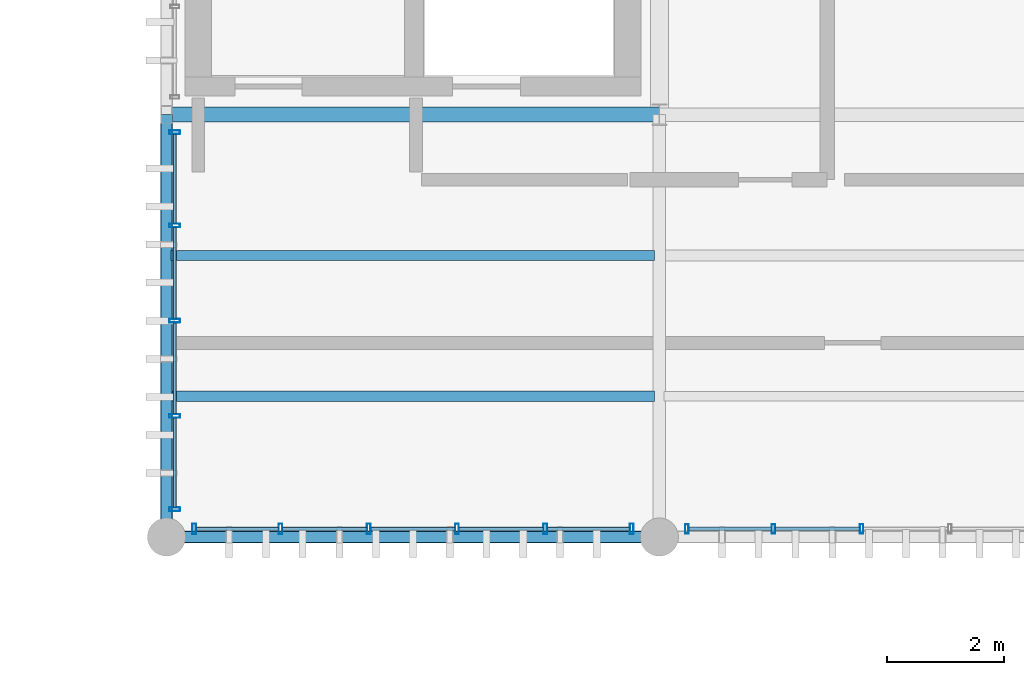
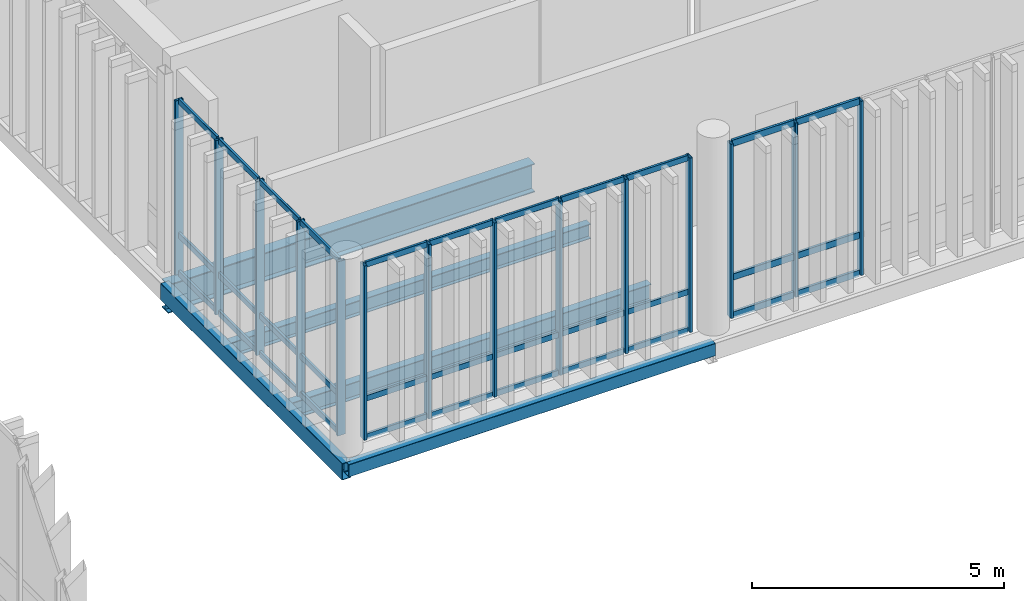
# One storey, part 22 of 86: 47 members, 5 beams, 3 elements without a shape of their own.
"""IFC4 building model written with IfcOpenShell, lengths in metres."""

from ifc_helpers import new_model, si_unit, direction, frame, origin_with_axes, origin_2d_with_axis, place, context, subcontext, project, spatial, hollow_rectangle, i_section, extrude, material, material_profile, profile_set, type_object, element, aggregate, save


model = new_model("IFC4")

# Units and contexts
model_context = context("Model", 3, precision=1e-05, world=origin_with_axes(), true_north=direction((0.0, 1.0)))
body_context = subcontext(model_context, "Body", "Model", "MODEL_VIEW")
ifc_project = project(units=[si_unit("LENGTHUNIT", "METRE"), si_unit("AREAUNIT", "SQUARE_METRE"), si_unit("VOLUMEUNIT", "CUBIC_METRE"), si_unit("PLANEANGLEUNIT", "RADIAN"), si_unit("MASSUNIT", "GRAM", prefix="KILO"), si_unit("THERMODYNAMICTEMPERATUREUNIT", "KELVIN")], contexts=[model_context])

# Site, building, storey
site_placement = place(None, origin_with_axes())
site = spatial("IfcSite", under=ifc_project, at=site_placement, CompositionType="ELEMENT")
building_placement = place(site_placement, origin_with_axes())
building = spatial("IfcBuilding", under=site, at=building_placement, Name="Montbau Bow Law Courts", CompositionType="ELEMENT")
storey_placement = place(building_placement, frame((0.0, 0.0, 29.7), z_axis=(0.0, 0.0, 1.0), x_axis=(1.0, 0.0, 0.0)))
storey = spatial("IfcBuildingStorey", under=building, at=storey_placement, Name="L06", CompositionType="ELEMENT", Elevation=29.7)

# Beams
ifc_material_1 = material(Name="Steel CSA G40.21 Grade 350W (350 MPa)", Category="steel")
ifc_material_profile_1 = material_profile(ifc_material_1, i_section(OverallWidth=0.254, OverallDepth=0.688, WebThickness=0.0131, FlangeThickness=0.0211, at=origin_2d_with_axis()), Name="W690X152", Category="Main", Priority=0)
ifc_profile_set_1 = profile_set([ifc_material_profile_1], Name="Steel CSA G40.21 Grade 350W (350 MPa)")
beam_type_1 = type_object("IfcBeamType", Name="B-FLR-04", PredefinedType="BEAM", material=ifc_profile_set_1)
beam_1_placement = place(None, frame((55.2, 46.2, 29.016), z_axis=(1.0, 0.0, 0.0), x_axis=(0.0, 1.0, 0.0)))
element("IfcBeam", 1, at=beam_1_placement, inside=storey, type_object=beam_type_1, Name="BM-L06-S0999:bm2_1002", PredefinedType="BEAM", context=body_context, shape_type="SweptSolid", body=[
    extrude(i_section(OverallWidth=0.254, OverallDepth=0.688, WebThickness=0.0131, FlangeThickness=0.0211, at=origin_2d_with_axis()), origin_with_axes(), (0.0, 0.0, 1.0), 8.4),
])
ifc_material_profile_2 = material_profile(ifc_material_1, i_section(OverallWidth=0.179, OverallDepth=0.41, WebThickness=0.0088, FlangeThickness=0.0144, at=origin_2d_with_axis()), Name="W410X67", Category="Main", Priority=0)
ifc_profile_set_2 = profile_set([ifc_material_profile_2], Name="Steel CSA G40.21 Grade 350W (350 MPa)")
beam_type_2 = type_object("IfcBeamType", Name="B-JST-02", PredefinedType="JOIST", material=ifc_profile_set_2)
beam_2_placement = place(None, frame((55.28, 41.4, 29.155), z_axis=(1.0, 0.0, 0.0), x_axis=(0.0, 1.0, 0.0)))
element("IfcBeam", 2, at=beam_2_placement, inside=storey, type_object=beam_type_2, Name="JST-L06-S0509:jst2_0509", PredefinedType="JOIST", context=body_context, shape_type="SweptSolid", body=[
    extrude(i_section(OverallWidth=0.179, OverallDepth=0.41, WebThickness=0.0088, FlangeThickness=0.0144, at=origin_2d_with_axis()), origin_with_axes(), (0.0, 0.0, 1.0), 8.239),
])
ifc_material_profile_3 = material_profile(ifc_material_1, i_section(OverallWidth=0.172, OverallDepth=0.358, WebThickness=0.0079, FlangeThickness=0.0131, at=origin_2d_with_axis()), Name="W360X57", Category="Main", Priority=0)
ifc_profile_set_3 = profile_set([ifc_material_profile_3], Name="Steel CSA G40.21 Grade 350W (350 MPa)")
beam_type_3 = type_object("IfcBeamType", Name="B-JST-03", PredefinedType="JOIST", material=ifc_profile_set_3)
beam_3_placement = place(None, frame((55.28, 43.8, 29.181), z_axis=(1.0, 0.0, 0.0), x_axis=(0.0, 1.0, 0.0)))
element("IfcBeam", 3, at=beam_3_placement, inside=storey, type_object=beam_type_3, Name="JST-L06-S0510:jst2_0510", PredefinedType="JOIST", context=body_context, shape_type="SweptSolid", body=[
    extrude(i_section(OverallWidth=0.172, OverallDepth=0.358, WebThickness=0.0079, FlangeThickness=0.0131, at=origin_2d_with_axis()), origin_with_axes(), (0.0, 0.0, 1.0), 8.239),
])
ifc_material_2 = material(Name="Steel CSA G40.21 Grade 350WT (350 MPa)", Category="steel")
ifc_material_profile_4 = material_profile(ifc_material_2, hollow_rectangle(XDim=0.203, YDim=0.406, WallThickness=0.0127, InnerFilletRadius=0.0254, OuterFilletRadius=0.0127, at=origin_2d_with_axis()), Name="HSS406X203X13", Category="Main", Priority=0)
ifc_profile_set_4 = profile_set([ifc_material_profile_4], Name="Steel CSA G40.21 Grade 350WT (350 MPa)")
beam_type_4 = type_object("IfcBeamType", Name="B-SPN-01", PredefinedType="SPANDREL", material=ifc_profile_set_4)
beam_4_placement = place(None, frame((55.2, 39.0, 29.157), z_axis=(0.0, 1.0, 0.0), x_axis=(-1.0, 0.0, 0.0)))
element("IfcBeam", 4, at=beam_4_placement, inside=storey, type_object=beam_type_4, Name="SPN-L06-S1005:bm2_1008", PredefinedType="SPANDREL", context=body_context, shape_type="SweptSolid", body=[
    extrude(hollow_rectangle(XDim=0.203, YDim=0.406, WallThickness=0.0127, InnerFilletRadius=0.0254, OuterFilletRadius=0.0127, at=origin_2d_with_axis()), origin_with_axes(), (0.0, 0.0, 1.0), 7.2),
])
ifc_material_profile_5 = material_profile(ifc_material_2, hollow_rectangle(XDim=0.203, YDim=0.305, WallThickness=0.0127, InnerFilletRadius=0.0254, OuterFilletRadius=0.0127, at=origin_2d_with_axis()), Name="HSS305X203X13", Category="Main", Priority=0)
ifc_profile_set_5 = profile_set([ifc_material_profile_5], Name="Steel CSA G40.21 Grade 350WT (350 MPa)")
beam_type_5 = type_object("IfcBeamType", Name="B-SPN-02", PredefinedType="SPANDREL", material=ifc_profile_set_5)
beam_5_placement = place(None, frame((55.2, 39.0, 29.207), z_axis=(1.0, 0.0, 0.0), x_axis=(0.0, 1.0, 0.0)))
element("IfcBeam", 5, at=beam_5_placement, inside=storey, type_object=beam_type_5, Name="SPN-L06-S0996:bm2_0999", PredefinedType="SPANDREL", context=body_context, shape_type="SweptSolid", body=[
    extrude(hollow_rectangle(XDim=0.203, YDim=0.305, WallThickness=0.0127, InnerFilletRadius=0.0254, OuterFilletRadius=0.0127, at=origin_2d_with_axis()), origin_with_axes(), (0.0, 0.0, 1.0), 8.4),
])

# Curtain wall, members
ifc_material_3 = material(Name="Thermally Broken Extruded Aluminium AA 6063-T6", Category="aluminium")
curtain_wall_type = type_object("IfcCurtainWallType", Name="CW-CRM-02", PredefinedType="NOTDEFINED", material=ifc_material_3)
curtain_wall_1_placement = place(None, frame((55.64, 39.14, 29.7), z_axis=(0.0, 0.0, 1.0), x_axis=(1.0, 0.0, 0.0)))
curtain_wall_1 = element("IfcCurtainWall", 6, at=curtain_wall_1_placement, inside=storey, type_object=curtain_wall_type, Name="CW-L06-223:cw_0223", PredefinedType="NOTDEFINED")
ifc_material_profile_6 = material_profile(ifc_material_3, hollow_rectangle(XDim=0.065, YDim=0.18, WallThickness=0.005, InnerFilletRadius=0.01, OuterFilletRadius=0.005, at=origin_2d_with_axis()), Name="CWM-180X65", Category="Main", Priority=0)
ifc_profile_set_6 = profile_set([ifc_material_profile_6], Name="Thermally Broken Extruded Aluminium AA 6063-T6")
member_type_1 = type_object("IfcMemberType", Name="M-MUL-02", PredefinedType="MULLION", material=ifc_profile_set_6)
member_1_placement = place(None, frame((55.673, 39.14, 29.7), z_axis=(0.0, 0.0, 1.0), x_axis=(1.0, 0.0, 0.0)))
member_1 = element("IfcMember", 7, at=member_1_placement, type_object=member_type_1, Name="CW-L06-223-M01:cw_0223_M01", PredefinedType="MULLION", context=body_context, shape_type="SweptSolid", body=[
    extrude(hollow_rectangle(XDim=0.065, YDim=0.18, WallThickness=0.005, InnerFilletRadius=0.01, OuterFilletRadius=0.005, at=origin_2d_with_axis()), origin_with_axes(), (0.0, 0.0, 1.0), 4.22),
])
member_2_placement = place(None, frame((57.144, 39.14, 29.7), z_axis=(0.0, 0.0, 1.0), x_axis=(1.0, 0.0, 0.0)))
member_2 = element("IfcMember", 8, at=member_2_placement, type_object=member_type_1, Name="CW-L06-223-M02:cw_0223_M02", PredefinedType="MULLION", context=body_context, shape_type="SweptSolid", body=[
    extrude(hollow_rectangle(XDim=0.065, YDim=0.18, WallThickness=0.005, InnerFilletRadius=0.01, OuterFilletRadius=0.005, at=origin_2d_with_axis()), origin_with_axes(), (0.0, 0.0, 1.0), 4.22),
])
member_3_placement = place(None, frame((58.648, 39.14, 29.7), z_axis=(0.0, 0.0, 1.0), x_axis=(1.0, 0.0, 0.0)))
member_3 = element("IfcMember", 9, at=member_3_placement, type_object=member_type_1, Name="CW-L06-223-M03:cw_0223_M03", PredefinedType="MULLION", context=body_context, shape_type="SweptSolid", body=[
    extrude(hollow_rectangle(XDim=0.065, YDim=0.18, WallThickness=0.005, InnerFilletRadius=0.01, OuterFilletRadius=0.005, at=origin_2d_with_axis()), origin_with_axes(), (0.0, 0.0, 1.0), 4.22),
])
member_4_placement = place(None, frame((60.152, 39.14, 29.7), z_axis=(0.0, 0.0, 1.0), x_axis=(1.0, 0.0, 0.0)))
member_4 = element("IfcMember", 10, at=member_4_placement, type_object=member_type_1, Name="CW-L06-223-M04:cw_0223_M04", PredefinedType="MULLION", context=body_context, shape_type="SweptSolid", body=[
    extrude(hollow_rectangle(XDim=0.065, YDim=0.18, WallThickness=0.005, InnerFilletRadius=0.01, OuterFilletRadius=0.005, at=origin_2d_with_axis()), origin_with_axes(), (0.0, 0.0, 1.0), 4.22),
])
member_5_placement = place(None, frame((61.656, 39.14, 29.7), z_axis=(0.0, 0.0, 1.0), x_axis=(1.0, 0.0, 0.0)))
member_5 = element("IfcMember", 11, at=member_5_placement, type_object=member_type_1, Name="CW-L06-223-M05:cw_0223_M05", PredefinedType="MULLION", context=body_context, shape_type="SweptSolid", body=[
    extrude(hollow_rectangle(XDim=0.065, YDim=0.18, WallThickness=0.005, InnerFilletRadius=0.01, OuterFilletRadius=0.005, at=origin_2d_with_axis()), origin_with_axes(), (0.0, 0.0, 1.0), 4.22),
])
member_6_placement = place(None, frame((63.127, 39.14, 29.7), z_axis=(0.0, 0.0, 1.0), x_axis=(1.0, 0.0, 0.0)))
member_6 = element("IfcMember", 12, at=member_6_placement, type_object=member_type_1, Name="CW-L06-223-M06:cw_0223_M06", PredefinedType="MULLION", context=body_context, shape_type="SweptSolid", body=[
    extrude(hollow_rectangle(XDim=0.065, YDim=0.18, WallThickness=0.005, InnerFilletRadius=0.01, OuterFilletRadius=0.005, at=origin_2d_with_axis()), origin_with_axes(), (0.0, 0.0, 1.0), 4.22),
])

curtain_wall_2_placement = place(None, frame((55.34, 39.44, 29.7), z_axis=(0.0, 0.0, 1.0), x_axis=(1.0, 0.0, 0.0)))
curtain_wall_2 = element("IfcCurtainWall", 13, at=curtain_wall_2_placement, inside=storey, type_object=curtain_wall_type, Name="CW-L06-235:cw_0235", PredefinedType="NOTDEFINED")
member_7_placement = place(None, frame((55.34, 39.473, 29.7), z_axis=(0.0, 0.0, 1.0), x_axis=(0.0, 1.0, 0.0)))
member_7 = element("IfcMember", 14, at=member_7_placement, type_object=member_type_1, Name="CW-L06-235-M01:cw_0235_M01", PredefinedType="MULLION", context=body_context, shape_type="SweptSolid", body=[
    extrude(hollow_rectangle(XDim=0.065, YDim=0.18, WallThickness=0.005, InnerFilletRadius=0.01, OuterFilletRadius=0.005, at=origin_2d_with_axis()), origin_with_axes(), (0.0, 0.0, 1.0), 4.22),
])
member_8_placement = place(None, frame((55.34, 41.063, 29.7), z_axis=(0.0, 0.0, 1.0), x_axis=(0.0, 1.0, 0.0)))
member_8 = element("IfcMember", 15, at=member_8_placement, type_object=member_type_1, Name="CW-L06-235-M02:cw_0235_M02", PredefinedType="MULLION", context=body_context, shape_type="SweptSolid", body=[
    extrude(hollow_rectangle(XDim=0.065, YDim=0.18, WallThickness=0.005, InnerFilletRadius=0.01, OuterFilletRadius=0.005, at=origin_2d_with_axis()), origin_with_axes(), (0.0, 0.0, 1.0), 4.22),
])
member_9_placement = place(None, frame((55.34, 42.686, 29.7), z_axis=(0.0, 0.0, 1.0), x_axis=(0.0, 1.0, 0.0)))
member_9 = element("IfcMember", 16, at=member_9_placement, type_object=member_type_1, Name="CW-L06-235-M03:cw_0235_M03", PredefinedType="MULLION", context=body_context, shape_type="SweptSolid", body=[
    extrude(hollow_rectangle(XDim=0.065, YDim=0.18, WallThickness=0.005, InnerFilletRadius=0.01, OuterFilletRadius=0.005, at=origin_2d_with_axis()), origin_with_axes(), (0.0, 0.0, 1.0), 4.22),
])
member_10_placement = place(None, frame((55.34, 44.309, 29.7), z_axis=(0.0, 0.0, 1.0), x_axis=(0.0, 1.0, 0.0)))
member_10 = element("IfcMember", 17, at=member_10_placement, type_object=member_type_1, Name="CW-L06-235-M04:cw_0235_M04", PredefinedType="MULLION", context=body_context, shape_type="SweptSolid", body=[
    extrude(hollow_rectangle(XDim=0.065, YDim=0.18, WallThickness=0.005, InnerFilletRadius=0.01, OuterFilletRadius=0.005, at=origin_2d_with_axis()), origin_with_axes(), (0.0, 0.0, 1.0), 4.22),
])
member_11_placement = place(None, frame((55.34, 45.9, 29.7), z_axis=(0.0, 0.0, 1.0), x_axis=(0.0, 1.0, 0.0)))
member_11 = element("IfcMember", 18, at=member_11_placement, type_object=member_type_1, Name="CW-L06-235-M05:cw_0235_M05", PredefinedType="MULLION", context=body_context, shape_type="SweptSolid", body=[
    extrude(hollow_rectangle(XDim=0.065, YDim=0.18, WallThickness=0.005, InnerFilletRadius=0.01, OuterFilletRadius=0.005, at=origin_2d_with_axis()), origin_with_axes(), (0.0, 0.0, 1.0), 4.22),
])

curtain_wall_3_placement = place(None, frame((64.04, 39.14, 29.7), z_axis=(0.0, 0.0, 1.0), x_axis=(1.0, 0.0, 0.0)))
curtain_wall_3 = element("IfcCurtainWall", 19, at=curtain_wall_3_placement, inside=storey, type_object=curtain_wall_type, Name="CW-L06-224:cw_0224", PredefinedType="NOTDEFINED")
ifc_material_profile_7 = material_profile(ifc_material_3, hollow_rectangle(XDim=0.06, YDim=0.16, WallThickness=0.004, InnerFilletRadius=0.008, OuterFilletRadius=0.004, at=origin_2d_with_axis()), Name="CWM-160X60", Category="Main", Priority=0)
ifc_profile_set_7 = profile_set([ifc_material_profile_7], Name="Thermally Broken Extruded Aluminium AA 6063-T6")
member_type_2 = type_object("IfcMemberType", Name="M-MUL-03", PredefinedType="MULLION", material=ifc_profile_set_7)
member_12_placement = place(None, frame((64.07, 39.14, 29.7), z_axis=(0.0, 0.0, 1.0), x_axis=(1.0, 0.0, 0.0)))
member_12 = element("IfcMember", 20, at=member_12_placement, type_object=member_type_2, Name="CW-L06-224-M01:cw_0224_M01", PredefinedType="MULLION", context=body_context, shape_type="SweptSolid", body=[
    extrude(hollow_rectangle(XDim=0.06, YDim=0.16, WallThickness=0.004, InnerFilletRadius=0.008, OuterFilletRadius=0.004, at=origin_2d_with_axis()), origin_with_axes(), (0.0, 0.0, 1.0), 4.22),
])
member_13_placement = place(None, frame((65.544, 39.14, 29.7), z_axis=(0.0, 0.0, 1.0), x_axis=(1.0, 0.0, 0.0)))
member_13 = element("IfcMember", 21, at=member_13_placement, type_object=member_type_2, Name="CW-L06-224-M02:cw_0224_M02", PredefinedType="MULLION", context=body_context, shape_type="SweptSolid", body=[
    extrude(hollow_rectangle(XDim=0.06, YDim=0.16, WallThickness=0.004, InnerFilletRadius=0.008, OuterFilletRadius=0.004, at=origin_2d_with_axis()), origin_with_axes(), (0.0, 0.0, 1.0), 4.22),
])
member_14_placement = place(None, frame((67.048, 39.14, 29.7), z_axis=(0.0, 0.0, 1.0), x_axis=(1.0, 0.0, 0.0)))
member_14 = element("IfcMember", 22, at=member_14_placement, type_object=member_type_2, Name="CW-L06-224-M03:cw_0224_M03", PredefinedType="MULLION", context=body_context, shape_type="SweptSolid", body=[
    extrude(hollow_rectangle(XDim=0.06, YDim=0.16, WallThickness=0.004, InnerFilletRadius=0.008, OuterFilletRadius=0.004, at=origin_2d_with_axis()), origin_with_axes(), (0.0, 0.0, 1.0), 4.22),
])
ifc_material_profile_8 = material_profile(ifc_material_3, hollow_rectangle(XDim=0.06, YDim=0.16, WallThickness=0.004, InnerFilletRadius=0.008, OuterFilletRadius=0.004, at=origin_2d_with_axis()), Name="CWT-160X60", Category="Main", Priority=0)
ifc_profile_set_8 = profile_set([ifc_material_profile_8], Name="Thermally Broken Extruded Aluminium AA 6063-T6")
member_type_3 = type_object("IfcMemberType", Name="M-TRN-01", PredefinedType="USERDEFINED", material=ifc_profile_set_8)
member_15_placement = place(None, frame((64.102, 39.14, 29.73), z_axis=(1.0, 0.0, 0.0), x_axis=(0.0, 1.0, 0.0)))
member_15 = element("IfcMember", 23, at=member_15_placement, type_object=member_type_3, Name="CW-L06-224-T01-1:cw_0224_T01_1", ObjectType="TRANSOM", PredefinedType="USERDEFINED", context=body_context, shape_type="SweptSolid", body=[
    extrude(hollow_rectangle(XDim=0.06, YDim=0.16, WallThickness=0.004, InnerFilletRadius=0.008, OuterFilletRadius=0.004, at=origin_2d_with_axis()), origin_with_axes(), (0.0, 0.0, 1.0), 1.41),
])
member_16_placement = place(None, frame((64.102, 39.14, 30.65), z_axis=(1.0, 0.0, 0.0), x_axis=(0.0, 1.0, 0.0)))
member_16 = element("IfcMember", 24, at=member_16_placement, type_object=member_type_3, Name="CW-L06-224-T01-2:cw_0224_T01_2", ObjectType="TRANSOM", PredefinedType="USERDEFINED", context=body_context, shape_type="SweptSolid", body=[
    extrude(hollow_rectangle(XDim=0.06, YDim=0.16, WallThickness=0.004, InnerFilletRadius=0.008, OuterFilletRadius=0.004, at=origin_2d_with_axis()), origin_with_axes(), (0.0, 0.0, 1.0), 1.41),
])
member_17_placement = place(None, frame((64.102, 39.14, 33.89), z_axis=(1.0, 0.0, 0.0), x_axis=(0.0, 1.0, 0.0)))
member_17 = element("IfcMember", 25, at=member_17_placement, type_object=member_type_3, Name="CW-L06-224-T01-3:cw_0224_T01_3", ObjectType="TRANSOM", PredefinedType="USERDEFINED", context=body_context, shape_type="SweptSolid", body=[
    extrude(hollow_rectangle(XDim=0.06, YDim=0.16, WallThickness=0.004, InnerFilletRadius=0.008, OuterFilletRadius=0.004, at=origin_2d_with_axis()), origin_with_axes(), (0.0, 0.0, 1.0), 1.41),
])
member_18_placement = place(None, frame((65.576, 39.14, 29.73), z_axis=(1.0, 0.0, 0.0), x_axis=(0.0, 1.0, 0.0)))
member_18 = element("IfcMember", 26, at=member_18_placement, type_object=member_type_3, Name="CW-L06-224-T02-1:cw_0224_T02_1", ObjectType="TRANSOM", PredefinedType="USERDEFINED", context=body_context, shape_type="SweptSolid", body=[
    extrude(hollow_rectangle(XDim=0.06, YDim=0.16, WallThickness=0.004, InnerFilletRadius=0.008, OuterFilletRadius=0.004, at=origin_2d_with_axis()), origin_with_axes(), (0.0, 0.0, 1.0), 1.44),
])
member_19_placement = place(None, frame((65.576, 39.14, 30.65), z_axis=(1.0, 0.0, 0.0), x_axis=(0.0, 1.0, 0.0)))
member_19 = element("IfcMember", 27, at=member_19_placement, type_object=member_type_3, Name="CW-L06-224-T02-2:cw_0224_T02_2", ObjectType="TRANSOM", PredefinedType="USERDEFINED", context=body_context, shape_type="SweptSolid", body=[
    extrude(hollow_rectangle(XDim=0.06, YDim=0.16, WallThickness=0.004, InnerFilletRadius=0.008, OuterFilletRadius=0.004, at=origin_2d_with_axis()), origin_with_axes(), (0.0, 0.0, 1.0), 1.44),
])
member_20_placement = place(None, frame((65.576, 39.14, 33.89), z_axis=(1.0, 0.0, 0.0), x_axis=(0.0, 1.0, 0.0)))
member_20 = element("IfcMember", 28, at=member_20_placement, type_object=member_type_3, Name="CW-L06-224-T02-3:cw_0224_T02_3", ObjectType="TRANSOM", PredefinedType="USERDEFINED", context=body_context, shape_type="SweptSolid", body=[
    extrude(hollow_rectangle(XDim=0.06, YDim=0.16, WallThickness=0.004, InnerFilletRadius=0.008, OuterFilletRadius=0.004, at=origin_2d_with_axis()), origin_with_axes(), (0.0, 0.0, 1.0), 1.44),
])
aggregate(curtain_wall_3, [member_12, member_13, member_14, member_15, member_16, member_17, member_18, member_19, member_20])

# Member
ifc_material_profile_9 = material_profile(ifc_material_3, hollow_rectangle(XDim=0.055, YDim=0.14, WallThickness=0.004, InnerFilletRadius=0.008, OuterFilletRadius=0.004, at=origin_2d_with_axis()), Name="CWT-140X55", Category="Main", Priority=0)
ifc_profile_set_9 = profile_set([ifc_material_profile_9], Name="Thermally Broken Extruded Aluminium AA 6063-T6")
member_type_4 = type_object("IfcMemberType", Name="M-TRN-02", PredefinedType="USERDEFINED", material=ifc_profile_set_9)
member_21_placement = place(None, frame((55.708, 39.14, 29.727), z_axis=(1.0, 0.0, 0.0), x_axis=(0.0, 1.0, 0.0)))
member_21 = element("IfcMember", 29, at=member_21_placement, type_object=member_type_4, Name="CW-L06-223-T01-1:cw_0223_T01_1", ObjectType="TRANSOM", PredefinedType="USERDEFINED", context=body_context, shape_type="SweptSolid", body=[
    extrude(hollow_rectangle(XDim=0.055, YDim=0.14, WallThickness=0.004, InnerFilletRadius=0.008, OuterFilletRadius=0.004, at=origin_2d_with_axis()), origin_with_axes(), (0.0, 0.0, 1.0), 1.402),
])

member_22_placement = place(None, frame((55.708, 39.14, 30.65), z_axis=(1.0, 0.0, 0.0), x_axis=(0.0, 1.0, 0.0)))
member_22 = element("IfcMember", 30, at=member_22_placement, type_object=member_type_4, Name="CW-L06-223-T01-2:cw_0223_T01_2", ObjectType="TRANSOM", PredefinedType="USERDEFINED", context=body_context, shape_type="SweptSolid", body=[
    extrude(hollow_rectangle(XDim=0.055, YDim=0.14, WallThickness=0.004, InnerFilletRadius=0.008, OuterFilletRadius=0.004, at=origin_2d_with_axis()), origin_with_axes(), (0.0, 0.0, 1.0), 1.402),
])

member_23_placement = place(None, frame((55.708, 39.14, 33.892), z_axis=(1.0, 0.0, 0.0), x_axis=(0.0, 1.0, 0.0)))
member_23 = element("IfcMember", 31, at=member_23_placement, type_object=member_type_4, Name="CW-L06-223-T01-3:cw_0223_T01_3", ObjectType="TRANSOM", PredefinedType="USERDEFINED", context=body_context, shape_type="SweptSolid", body=[
    extrude(hollow_rectangle(XDim=0.055, YDim=0.14, WallThickness=0.004, InnerFilletRadius=0.008, OuterFilletRadius=0.004, at=origin_2d_with_axis()), origin_with_axes(), (0.0, 0.0, 1.0), 1.402),
])

member_24_placement = place(None, frame((57.178, 39.14, 29.727), z_axis=(1.0, 0.0, 0.0), x_axis=(0.0, 1.0, 0.0)))
member_24 = element("IfcMember", 32, at=member_24_placement, type_object=member_type_4, Name="CW-L06-223-T02-1:cw_0223_T02_1", ObjectType="TRANSOM", PredefinedType="USERDEFINED", context=body_context, shape_type="SweptSolid", body=[
    extrude(hollow_rectangle(XDim=0.055, YDim=0.14, WallThickness=0.004, InnerFilletRadius=0.008, OuterFilletRadius=0.004, at=origin_2d_with_axis()), origin_with_axes(), (0.0, 0.0, 1.0), 1.436),
])

member_25_placement = place(None, frame((57.178, 39.14, 30.65), z_axis=(1.0, 0.0, 0.0), x_axis=(0.0, 1.0, 0.0)))
member_25 = element("IfcMember", 33, at=member_25_placement, type_object=member_type_4, Name="CW-L06-223-T02-2:cw_0223_T02_2", ObjectType="TRANSOM", PredefinedType="USERDEFINED", context=body_context, shape_type="SweptSolid", body=[
    extrude(hollow_rectangle(XDim=0.055, YDim=0.14, WallThickness=0.004, InnerFilletRadius=0.008, OuterFilletRadius=0.004, at=origin_2d_with_axis()), origin_with_axes(), (0.0, 0.0, 1.0), 1.436),
])

member_26_placement = place(None, frame((57.178, 39.14, 33.892), z_axis=(1.0, 0.0, 0.0), x_axis=(0.0, 1.0, 0.0)))
member_26 = element("IfcMember", 34, at=member_26_placement, type_object=member_type_4, Name="CW-L06-223-T02-3:cw_0223_T02_3", ObjectType="TRANSOM", PredefinedType="USERDEFINED", context=body_context, shape_type="SweptSolid", body=[
    extrude(hollow_rectangle(XDim=0.055, YDim=0.14, WallThickness=0.004, InnerFilletRadius=0.008, OuterFilletRadius=0.004, at=origin_2d_with_axis()), origin_with_axes(), (0.0, 0.0, 1.0), 1.436),
])

member_27_placement = place(None, frame((58.682, 39.14, 29.727), z_axis=(1.0, 0.0, 0.0), x_axis=(0.0, 1.0, 0.0)))
member_27 = element("IfcMember", 35, at=member_27_placement, type_object=member_type_4, Name="CW-L06-223-T03-1:cw_0223_T03_1", ObjectType="TRANSOM", PredefinedType="USERDEFINED", context=body_context, shape_type="SweptSolid", body=[
    extrude(hollow_rectangle(XDim=0.055, YDim=0.14, WallThickness=0.004, InnerFilletRadius=0.008, OuterFilletRadius=0.004, at=origin_2d_with_axis()), origin_with_axes(), (0.0, 0.0, 1.0), 1.436),
])

member_28_placement = place(None, frame((58.682, 39.14, 30.65), z_axis=(1.0, 0.0, 0.0), x_axis=(0.0, 1.0, 0.0)))
member_28 = element("IfcMember", 36, at=member_28_placement, type_object=member_type_4, Name="CW-L06-223-T03-2:cw_0223_T03_2", ObjectType="TRANSOM", PredefinedType="USERDEFINED", context=body_context, shape_type="SweptSolid", body=[
    extrude(hollow_rectangle(XDim=0.055, YDim=0.14, WallThickness=0.004, InnerFilletRadius=0.008, OuterFilletRadius=0.004, at=origin_2d_with_axis()), origin_with_axes(), (0.0, 0.0, 1.0), 1.436),
])

member_29_placement = place(None, frame((58.682, 39.14, 33.892), z_axis=(1.0, 0.0, 0.0), x_axis=(0.0, 1.0, 0.0)))
member_29 = element("IfcMember", 37, at=member_29_placement, type_object=member_type_4, Name="CW-L06-223-T03-3:cw_0223_T03_3", ObjectType="TRANSOM", PredefinedType="USERDEFINED", context=body_context, shape_type="SweptSolid", body=[
    extrude(hollow_rectangle(XDim=0.055, YDim=0.14, WallThickness=0.004, InnerFilletRadius=0.008, OuterFilletRadius=0.004, at=origin_2d_with_axis()), origin_with_axes(), (0.0, 0.0, 1.0), 1.436),
])

member_30_placement = place(None, frame((60.186, 39.14, 29.727), z_axis=(1.0, 0.0, 0.0), x_axis=(0.0, 1.0, 0.0)))
member_30 = element("IfcMember", 38, at=member_30_placement, type_object=member_type_4, Name="CW-L06-223-T04-1:cw_0223_T04_1", ObjectType="TRANSOM", PredefinedType="USERDEFINED", context=body_context, shape_type="SweptSolid", body=[
    extrude(hollow_rectangle(XDim=0.055, YDim=0.14, WallThickness=0.004, InnerFilletRadius=0.008, OuterFilletRadius=0.004, at=origin_2d_with_axis()), origin_with_axes(), (0.0, 0.0, 1.0), 1.436),
])

member_31_placement = place(None, frame((60.186, 39.14, 30.65), z_axis=(1.0, 0.0, 0.0), x_axis=(0.0, 1.0, 0.0)))
member_31 = element("IfcMember", 39, at=member_31_placement, type_object=member_type_4, Name="CW-L06-223-T04-2:cw_0223_T04_2", ObjectType="TRANSOM", PredefinedType="USERDEFINED", context=body_context, shape_type="SweptSolid", body=[
    extrude(hollow_rectangle(XDim=0.055, YDim=0.14, WallThickness=0.004, InnerFilletRadius=0.008, OuterFilletRadius=0.004, at=origin_2d_with_axis()), origin_with_axes(), (0.0, 0.0, 1.0), 1.436),
])

member_32_placement = place(None, frame((60.186, 39.14, 33.892), z_axis=(1.0, 0.0, 0.0), x_axis=(0.0, 1.0, 0.0)))
member_32 = element("IfcMember", 40, at=member_32_placement, type_object=member_type_4, Name="CW-L06-223-T04-3:cw_0223_T04_3", ObjectType="TRANSOM", PredefinedType="USERDEFINED", context=body_context, shape_type="SweptSolid", body=[
    extrude(hollow_rectangle(XDim=0.055, YDim=0.14, WallThickness=0.004, InnerFilletRadius=0.008, OuterFilletRadius=0.004, at=origin_2d_with_axis()), origin_with_axes(), (0.0, 0.0, 1.0), 1.436),
])

member_33_placement = place(None, frame((61.69, 39.14, 29.727), z_axis=(1.0, 0.0, 0.0), x_axis=(0.0, 1.0, 0.0)))
member_33 = element("IfcMember", 41, at=member_33_placement, type_object=member_type_4, Name="CW-L06-223-T05-1:cw_0223_T05_1", ObjectType="TRANSOM", PredefinedType="USERDEFINED", context=body_context, shape_type="SweptSolid", body=[
    extrude(hollow_rectangle(XDim=0.055, YDim=0.14, WallThickness=0.004, InnerFilletRadius=0.008, OuterFilletRadius=0.004, at=origin_2d_with_axis()), origin_with_axes(), (0.0, 0.0, 1.0), 1.403),
])

member_34_placement = place(None, frame((61.69, 39.14, 30.65), z_axis=(1.0, 0.0, 0.0), x_axis=(0.0, 1.0, 0.0)))
member_34 = element("IfcMember", 42, at=member_34_placement, type_object=member_type_4, Name="CW-L06-223-T05-2:cw_0223_T05_2", ObjectType="TRANSOM", PredefinedType="USERDEFINED", context=body_context, shape_type="SweptSolid", body=[
    extrude(hollow_rectangle(XDim=0.055, YDim=0.14, WallThickness=0.004, InnerFilletRadius=0.008, OuterFilletRadius=0.004, at=origin_2d_with_axis()), origin_with_axes(), (0.0, 0.0, 1.0), 1.403),
])

member_35_placement = place(None, frame((61.69, 39.14, 33.892), z_axis=(1.0, 0.0, 0.0), x_axis=(0.0, 1.0, 0.0)))
member_35 = element("IfcMember", 43, at=member_35_placement, type_object=member_type_4, Name="CW-L06-223-T05-3:cw_0223_T05_3", ObjectType="TRANSOM", PredefinedType="USERDEFINED", context=body_context, shape_type="SweptSolid", body=[
    extrude(hollow_rectangle(XDim=0.055, YDim=0.14, WallThickness=0.004, InnerFilletRadius=0.008, OuterFilletRadius=0.004, at=origin_2d_with_axis()), origin_with_axes(), (0.0, 0.0, 1.0), 1.403),
])

aggregate(curtain_wall_1, [member_1, member_2, member_3, member_4, member_5, member_6, member_21, member_22, member_23, member_24, member_25, member_26, member_27, member_28, member_29, member_30, member_31, member_32, member_33, member_34, member_35])

member_36_placement = place(None, frame((55.34, 39.508, 29.727), z_axis=(0.0, 1.0, 0.0), x_axis=(-1.0, 0.0, 0.0)))
member_36 = element("IfcMember", 44, at=member_36_placement, type_object=member_type_4, Name="CW-L06-235-T01-1:cw_0235_T01_1", ObjectType="TRANSOM", PredefinedType="USERDEFINED", context=body_context, shape_type="SweptSolid", body=[
    extrude(hollow_rectangle(XDim=0.055, YDim=0.14, WallThickness=0.004, InnerFilletRadius=0.008, OuterFilletRadius=0.004, at=origin_2d_with_axis()), origin_with_axes(), (0.0, 0.0, 1.0), 1.521),
])

member_37_placement = place(None, frame((55.34, 39.508, 30.65), z_axis=(0.0, 1.0, 0.0), x_axis=(-1.0, 0.0, 0.0)))
member_37 = element("IfcMember", 45, at=member_37_placement, type_object=member_type_4, Name="CW-L06-235-T01-2:cw_0235_T01_2", ObjectType="TRANSOM", PredefinedType="USERDEFINED", context=body_context, shape_type="SweptSolid", body=[
    extrude(hollow_rectangle(XDim=0.055, YDim=0.14, WallThickness=0.004, InnerFilletRadius=0.008, OuterFilletRadius=0.004, at=origin_2d_with_axis()), origin_with_axes(), (0.0, 0.0, 1.0), 1.521),
])

member_38_placement = place(None, frame((55.34, 39.508, 33.892), z_axis=(0.0, 1.0, 0.0), x_axis=(-1.0, 0.0, 0.0)))
member_38 = element("IfcMember", 46, at=member_38_placement, type_object=member_type_4, Name="CW-L06-235-T01-3:cw_0235_T01_3", ObjectType="TRANSOM", PredefinedType="USERDEFINED", context=body_context, shape_type="SweptSolid", body=[
    extrude(hollow_rectangle(XDim=0.055, YDim=0.14, WallThickness=0.004, InnerFilletRadius=0.008, OuterFilletRadius=0.004, at=origin_2d_with_axis()), origin_with_axes(), (0.0, 0.0, 1.0), 1.521),
])

member_39_placement = place(None, frame((55.34, 41.097, 29.727), z_axis=(0.0, 1.0, 0.0), x_axis=(-1.0, 0.0, 0.0)))
member_39 = element("IfcMember", 47, at=member_39_placement, type_object=member_type_4, Name="CW-L06-235-T02-1:cw_0235_T02_1", ObjectType="TRANSOM", PredefinedType="USERDEFINED", context=body_context, shape_type="SweptSolid", body=[
    extrude(hollow_rectangle(XDim=0.055, YDim=0.14, WallThickness=0.004, InnerFilletRadius=0.008, OuterFilletRadius=0.004, at=origin_2d_with_axis()), origin_with_axes(), (0.0, 0.0, 1.0), 1.555),
])

member_40_placement = place(None, frame((55.34, 41.097, 30.65), z_axis=(0.0, 1.0, 0.0), x_axis=(-1.0, 0.0, 0.0)))
member_40 = element("IfcMember", 48, at=member_40_placement, type_object=member_type_4, Name="CW-L06-235-T02-2:cw_0235_T02_2", ObjectType="TRANSOM", PredefinedType="USERDEFINED", context=body_context, shape_type="SweptSolid", body=[
    extrude(hollow_rectangle(XDim=0.055, YDim=0.14, WallThickness=0.004, InnerFilletRadius=0.008, OuterFilletRadius=0.004, at=origin_2d_with_axis()), origin_with_axes(), (0.0, 0.0, 1.0), 1.555),
])

member_41_placement = place(None, frame((55.34, 41.097, 33.892), z_axis=(0.0, 1.0, 0.0), x_axis=(-1.0, 0.0, 0.0)))
member_41 = element("IfcMember", 49, at=member_41_placement, type_object=member_type_4, Name="CW-L06-235-T02-3:cw_0235_T02_3", ObjectType="TRANSOM", PredefinedType="USERDEFINED", context=body_context, shape_type="SweptSolid", body=[
    extrude(hollow_rectangle(XDim=0.055, YDim=0.14, WallThickness=0.004, InnerFilletRadius=0.008, OuterFilletRadius=0.004, at=origin_2d_with_axis()), origin_with_axes(), (0.0, 0.0, 1.0), 1.555),
])

member_42_placement = place(None, frame((55.34, 42.72, 29.727), z_axis=(0.0, 1.0, 0.0), x_axis=(-1.0, 0.0, 0.0)))
member_42 = element("IfcMember", 50, at=member_42_placement, type_object=member_type_4, Name="CW-L06-235-T03-1:cw_0235_T03_1", ObjectType="TRANSOM", PredefinedType="USERDEFINED", context=body_context, shape_type="SweptSolid", body=[
    extrude(hollow_rectangle(XDim=0.055, YDim=0.14, WallThickness=0.004, InnerFilletRadius=0.008, OuterFilletRadius=0.004, at=origin_2d_with_axis()), origin_with_axes(), (0.0, 0.0, 1.0), 1.555),
])

member_43_placement = place(None, frame((55.34, 42.72, 30.65), z_axis=(0.0, 1.0, 0.0), x_axis=(-1.0, 0.0, 0.0)))
member_43 = element("IfcMember", 51, at=member_43_placement, type_object=member_type_4, Name="CW-L06-235-T03-2:cw_0235_T03_2", ObjectType="TRANSOM", PredefinedType="USERDEFINED", context=body_context, shape_type="SweptSolid", body=[
    extrude(hollow_rectangle(XDim=0.055, YDim=0.14, WallThickness=0.004, InnerFilletRadius=0.008, OuterFilletRadius=0.004, at=origin_2d_with_axis()), origin_with_axes(), (0.0, 0.0, 1.0), 1.555),
])

member_44_placement = place(None, frame((55.34, 42.72, 33.892), z_axis=(0.0, 1.0, 0.0), x_axis=(-1.0, 0.0, 0.0)))
member_44 = element("IfcMember", 52, at=member_44_placement, type_object=member_type_4, Name="CW-L06-235-T03-3:cw_0235_T03_3", ObjectType="TRANSOM", PredefinedType="USERDEFINED", context=body_context, shape_type="SweptSolid", body=[
    extrude(hollow_rectangle(XDim=0.055, YDim=0.14, WallThickness=0.004, InnerFilletRadius=0.008, OuterFilletRadius=0.004, at=origin_2d_with_axis()), origin_with_axes(), (0.0, 0.0, 1.0), 1.555),
])

member_45_placement = place(None, frame((55.34, 44.343, 29.727), z_axis=(0.0, 1.0, 0.0), x_axis=(-1.0, 0.0, 0.0)))
member_45 = element("IfcMember", 53, at=member_45_placement, type_object=member_type_4, Name="CW-L06-235-T04-1:cw_0235_T04_1", ObjectType="TRANSOM", PredefinedType="USERDEFINED", context=body_context, shape_type="SweptSolid", body=[
    extrude(hollow_rectangle(XDim=0.055, YDim=0.14, WallThickness=0.004, InnerFilletRadius=0.008, OuterFilletRadius=0.004, at=origin_2d_with_axis()), origin_with_axes(), (0.0, 0.0, 1.0), 1.523),
])

member_46_placement = place(None, frame((55.34, 44.343, 30.65), z_axis=(0.0, 1.0, 0.0), x_axis=(-1.0, 0.0, 0.0)))
member_46 = element("IfcMember", 54, at=member_46_placement, type_object=member_type_4, Name="CW-L06-235-T04-2:cw_0235_T04_2", ObjectType="TRANSOM", PredefinedType="USERDEFINED", context=body_context, shape_type="SweptSolid", body=[
    extrude(hollow_rectangle(XDim=0.055, YDim=0.14, WallThickness=0.004, InnerFilletRadius=0.008, OuterFilletRadius=0.004, at=origin_2d_with_axis()), origin_with_axes(), (0.0, 0.0, 1.0), 1.523),
])

member_47_placement = place(None, frame((55.34, 44.343, 33.892), z_axis=(0.0, 1.0, 0.0), x_axis=(-1.0, 0.0, 0.0)))
member_47 = element("IfcMember", 55, at=member_47_placement, type_object=member_type_4, Name="CW-L06-235-T04-3:cw_0235_T04_3", ObjectType="TRANSOM", PredefinedType="USERDEFINED", context=body_context, shape_type="SweptSolid", body=[
    extrude(hollow_rectangle(XDim=0.055, YDim=0.14, WallThickness=0.004, InnerFilletRadius=0.008, OuterFilletRadius=0.004, at=origin_2d_with_axis()), origin_with_axes(), (0.0, 0.0, 1.0), 1.523),
])

aggregate(curtain_wall_2, [member_7, member_8, member_9, member_10, member_11, member_36, member_37, member_38, member_39, member_40, member_41, member_42, member_43, member_44, member_45, member_46, member_47])

save(model, "model.ifc")
